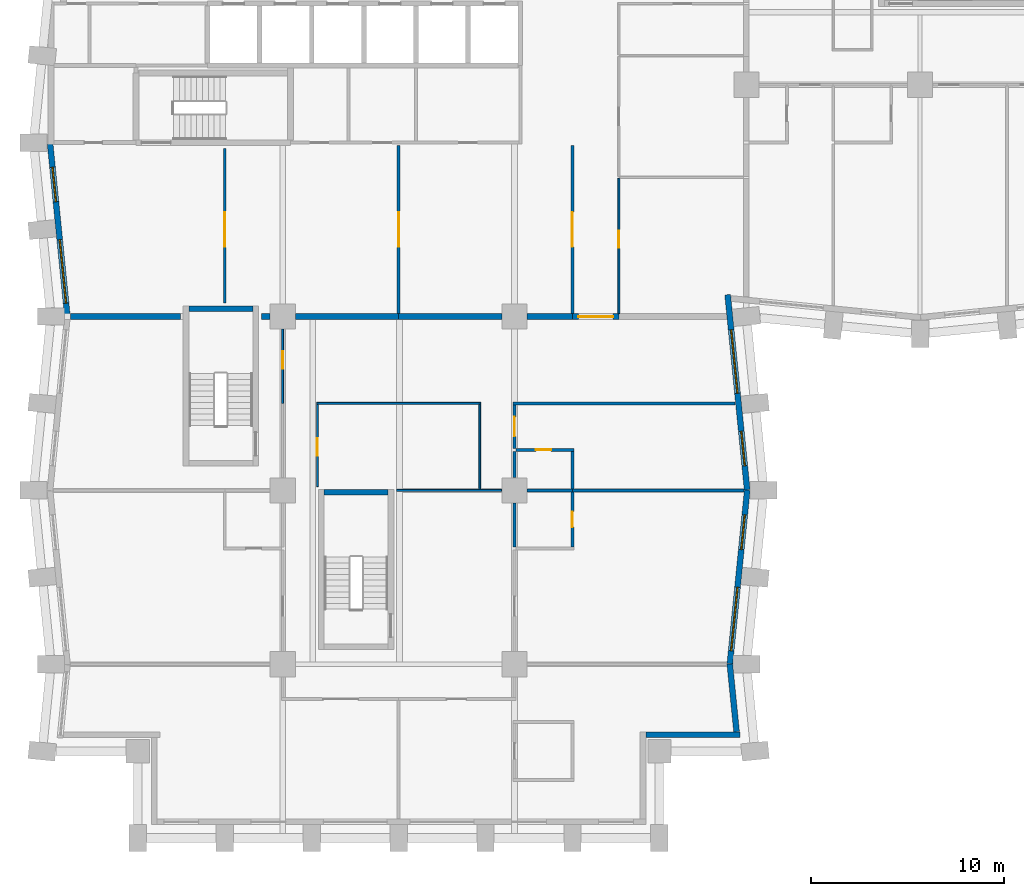
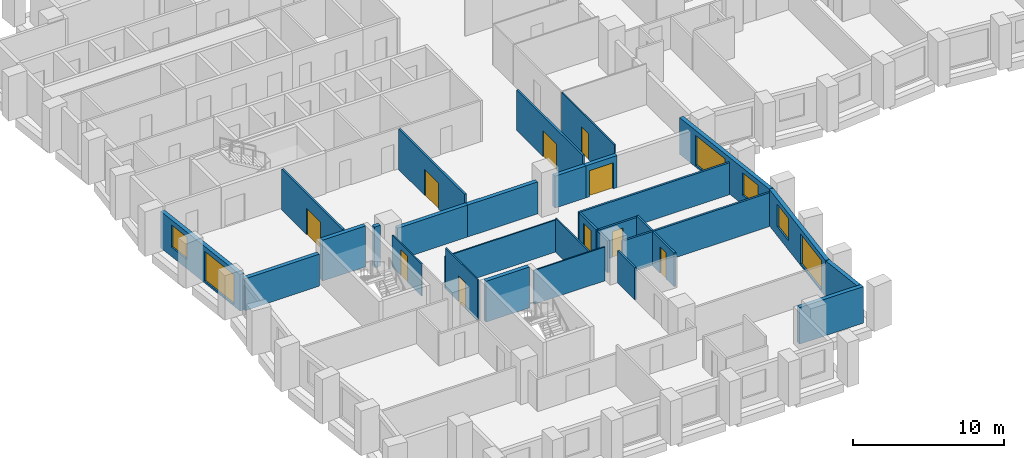
# One storey, part 4 of 13: 31 walls, 10 doors, 6 windows, 16 openings.
"""IFC4 building model written with IfcOpenShell, lengths in metres."""

from ifc_helpers import new_model, si_unit, direction, frame, frame_2d, origin, place, context, subcontext, project, spatial, rectangle, extrude, material, layer, layer_set, type_object, element, fill, save


model = new_model("IFC4")

# Units and contexts
model_context = context("Model", 3, precision=1e-05, world=origin(), true_north=direction((0.0, 1.0)))
body_context = subcontext(model_context, "Body", "Model", "MODEL_VIEW")
ifc_project = project(units=[si_unit("LENGTHUNIT", "METRE"), si_unit("AREAUNIT", "SQUARE_METRE"), si_unit("VOLUMEUNIT", "CUBIC_METRE"), si_unit("PLANEANGLEUNIT", "RADIAN"), si_unit("MASSUNIT", "GRAM", prefix="KILO")], contexts=[model_context])

# Site, building, storey
site_placement = place(None, origin())
site = spatial("IfcSite", under=ifc_project, at=site_placement, CompositionType="ELEMENT")
building_placement = place(site_placement, origin())
building = spatial("IfcBuilding", under=site, at=building_placement, Name="Brondeck Convention Tower", CompositionType="ELEMENT")
storey_placement = place(building_placement, frame((0.0, 0.0, 48.300048828125)))
storey = spatial("IfcBuildingStorey", under=building, at=storey_placement, Name="L09", CompositionType="ELEMENT", Elevation=48.300048828125)

# Walls
ifc_material_1 = material(Name="Concrete compartment wall C30/37", Category="concrete")
ifc_layer_1 = layer(ifc_material_1, 0.300048828125)
ifc_layer_set_1 = layer_set([ifc_layer_1], Name="Compartment wall 300")
wall_type_1 = type_object("IfcWallType", Name="Compartment wall 300", PredefinedType="PARTITIONING", material=ifc_layer_set_1)
wall_1_placement = place(storey_placement, frame((6.699951171875, 27.0, 0.0), z_axis=(0.0, 0.0, 1.0), x_axis=(-1.0, 0.0, 0.0)))
element("IfcWall", 1, at=wall_1_placement, inside=storey, type_object=wall_type_1, Name="FLR-L09-W035", PredefinedType="PARTITIONING", context=body_context, shape_type="SweptSolid", body=[
    extrude(rectangle(XDim=5.675048828125, YDim=0.300048828125, at=frame_2d((2.83740234375, 0.0))), origin(), (0.0, 0.0, 1.0), 2.579833984375),
])
wall_2_placement = place(storey_placement, frame((11.344970703125, 27.0, 0.0), z_axis=(0.0, 0.0, 1.0), x_axis=(-1.0, 0.0, 0.0)))
element("IfcWall", 2, at=wall_2_placement, inside=storey, type_object=wall_type_1, Name="FLR-L09-W036", PredefinedType="PARTITIONING", context=body_context, shape_type="SweptSolid", body=[
    extrude(rectangle(XDim=0.445068359375, YDim=0.300048828125, at=frame_2d((0.22265625, 0.0))), origin(), (0.0, 0.0, 1.0), 3.280029296875),
])
for number, where, z_axis, x_axis, name in (
    (3, (18.0, 27.0, 0.0), (0.0, 0.0, 1.0), (-1.0, 0.0, 0.0), "FLR-L09-W037"),
    (4, (23.344970703125, 27.0, 0.0), (0.0, 0.0, 1.0), (-1.0, 0.0, 0.0), "FLR-L09-W038"),
):
    element("IfcWall", number, at=place(storey_placement, frame(where, z_axis=z_axis, x_axis=x_axis)), inside=storey, type_object=wall_type_1, Name=name, PredefinedType="PARTITIONING", context=body_context, shape_type="SweptSolid", body=[
        extrude(rectangle(XDim=5.344970703125, YDim=0.300048828125, at=frame_2d((2.67236328125, 0.0))), origin(), (0.0, 0.0, 1.0), 2.579833984375),
    ])
wall_3_placement = place(storey_placement, frame((27.0, 27.0, 0.0), z_axis=(0.0, 0.0, 1.0), x_axis=(-1.0, 0.0, 0.0)))
element("IfcWall", 5, at=wall_3_placement, inside=storey, type_object=wall_type_1, Name="FLR-L09-W039", PredefinedType="PARTITIONING", context=body_context, shape_type="SweptSolid", body=[
    extrude(rectangle(XDim=2.344970703125, YDim=0.300048828125, at=frame_2d((1.17236328125, 0.0))), origin(), (0.0, 0.0, 1.0), 2.579833984375),
])

# Wall, opening, door
wall_4_placement = place(storey_placement, frame((29.39990234375, 27.0, 0.0), z_axis=(0.0, 0.0, 1.0), x_axis=(-1.0, 0.0, 0.0)))
wall_4 = element("IfcWall", 6, at=wall_4_placement, inside=storey, type_object=wall_type_1, Name="FLR-L09-W040", PredefinedType="PARTITIONING", context=body_context, shape_type="SweptSolid", body=[
    extrude(rectangle(XDim=2.39990234375, YDim=0.300048828125, at=frame_2d((1.199951171875, 0.0))), origin(), (0.0, 0.0, 1.0), 2.579833984375),
])
opening_1_placement = place(wall_4_placement, frame((0.300048828125, 0.0, 0.0)))
opening_1 = element("IfcOpeningElement", 7, at=opening_1_placement, cuts=wall_4, Name="Opening H2-043", PredefinedType="OPENING", context=body_context, shape_type="SweptSolid", body=[
    extrude(rectangle(XDim=1.800048828125, YDim=2.10009765625, at=frame_2d((0.89990234375, 1.050048828125))), frame((0.0, 0.159912109375, 0.0), z_axis=(0.0, -1.0, 0.0), x_axis=(1.0, 0.0, 0.0)), (0.0, 0.0, 1.0), 0.320068359375),
])
ifc_material_2 = material(Name="Steel fire door pair", Category="steel")
door_type_1 = type_object("IfcDoorType", Name="Fire door pair 1800", OperationType="DOUBLE_DOOR_SINGLE_SWING", PredefinedType="DOOR", material=ifc_material_2)
door_1_placement = place(opening_1_placement, origin())
door_1 = element("IfcDoor", 8, at=door_1_placement, inside=storey, type_object=door_type_1, Name="Door H2-043", OperationType="DOUBLE_DOOR_SINGLE_SWING", OverallHeight=2.10009765625, OverallWidth=1.800048828125, PredefinedType="DOOR", context=body_context, shape_type="SweptSolid", body=[
    extrude(rectangle(XDim=1.800048828125, YDim=2.10009765625, at=frame_2d((0.89990234375, 1.050048828125))), frame((0.0, 0.02490234375, 0.0), z_axis=(0.0, -1.0, 0.0), x_axis=(1.0, 0.0, 0.0)), (0.0, 0.0, 1.0), 0.050048828125),
])
fill(opening_1, door_1)

# Walls
ifc_material_3 = material(Name="Precast concrete C50/60 bronze finish", Category="concrete")
ifc_layer_2 = layer(ifc_material_3, 0.070068359375, Name="Bronze precast facing")
ifc_material_4 = material(Name="Mineral wool")
ifc_layer_3 = layer(ifc_material_4, 0.159912109375, Name="Insulation")
ifc_material_5 = material(Name="Concrete C35/45", Category="concrete")
ifc_layer_4 = layer(ifc_material_5, 0.070068359375, Name="Backing")
ifc_layer_set_2 = layer_set([ifc_layer_2, ifc_layer_3, ifc_layer_4], Name="External infill wall, precast concrete C50/60 bronze facing")
wall_type_2 = type_object("IfcWallType", Name="External infill wall, precast concrete C50/60 bronze facing", PredefinedType="SOLIDWALL", material=ifc_layer_set_2)
wall_5_placement = place(storey_placement, frame((35.676513671875, 5.35009765625, 0.0), z_axis=(0.0, 0.0, 1.0), x_axis=(-1.0, 0.0, 0.0)))
element("IfcWall", 9, at=wall_5_placement, inside=storey, type_object=wall_type_2, Name="ENV-EW-L09-P0-NC-SEB0-02", PredefinedType="SOLIDWALL", context=body_context, shape_type="SweptSolid", body=[
    extrude(rectangle(XDim=4.87646484375, YDim=0.300048828125, at=frame_2d((2.438232421875, 0.0))), origin(), (0.0, 0.0, 1.0), 2.949951171875),
])
wall_6_placement = place(storey_placement, frame((35.144287109375, 9.014892578125, 0.0), z_axis=(0.0, 0.0, 1.0), x_axis=(0.099462600847, -0.995041301169, 0.0)))
element("IfcWall", 10, at=wall_6_placement, inside=storey, type_object=wall_type_2, Name="ENV-EW-L09-P0-B-E-04", PredefinedType="SOLIDWALL", context=body_context, shape_type="SweptSolid", body=[
    extrude(rectangle(XDim=3.52734375, YDim=0.300048828125, at=frame_2d((1.763671875, 0.0))), origin(), (0.0, 0.0, 1.0), 2.949951171875),
])

# Wall, openings, windows
wall_7_placement = place(storey_placement, frame((36.04736328125, 18.014892578125, 0.0), z_axis=(0.0, 0.0, 1.0), x_axis=(-0.099522457379, -0.995035316196, 0.0)))
wall_7 = element("IfcWall", 11, at=wall_7_placement, inside=storey, type_object=wall_type_2, Name="ENV-EW-L09-P0-B-E-03", PredefinedType="SOLIDWALL", context=body_context, shape_type="SweptSolid", body=[
    extrude(rectangle(XDim=9.030029296875, YDim=0.300048828125, at=frame_2d((4.51513671875, 0.0))), origin(), (0.0, 0.0, 1.0), 2.949951171875),
])
opening_2_placement = place(wall_7_placement, frame((1.291259765625, 0.0, 0.75)))
opening_2 = element("IfcOpeningElement", 12, at=opening_2_placement, cuts=wall_7, Name="Opening W10", PredefinedType="OPENING", context=body_context, shape_type="SweptSolid", body=[
    extrude(rectangle(XDim=1.800048828125, YDim=1.800048828125, at=frame_2d((0.89990234375, 0.89990234375))), frame((0.0, 0.159912109375, 0.0), z_axis=(0.0, -1.0, 0.0), x_axis=(1.0, 0.0, 0.0)), (0.0, 0.0, 1.0), 0.320068359375),
])
opening_3_placement = place(wall_7_placement, frame((5.063720703125, 0.0, 0.14990234375)))
opening_3 = element("IfcOpeningElement", 13, at=opening_3_placement, cuts=wall_7, Name="Opening W9", PredefinedType="OPENING", context=body_context, shape_type="SweptSolid", body=[
    extrude(rectangle(XDim=3.300048828125, YDim=2.39990234375, at=frame_2d((1.64990234375, 1.199951171875))), frame((0.0, 0.159912109375, 0.0), z_axis=(0.0, -1.0, 0.0), x_axis=(1.0, 0.0, 0.0)), (0.0, 0.0, 1.0), 0.320068359375),
])
ifc_material_6 = material(Name="Bronze tinted double glazing", Category="glass")
window_type_1 = type_object("IfcWindowType", Name="Glazed flute window, bronze tinted", PartitioningType="SINGLE_PANEL", PredefinedType="WINDOW", material=ifc_material_6)
window_1_placement = place(opening_3_placement, origin())
window_1 = element("IfcWindow", 14, at=window_1_placement, inside=storey, type_object=window_type_1, Name="ENV-WN-L09-P0-B-E-03", OverallHeight=2.39990234375, OverallWidth=3.300048828125, PartitioningType="SINGLE_PANEL", PredefinedType="WINDOW", context=body_context, shape_type="SweptSolid", body=[
    extrude(rectangle(XDim=3.300048828125, YDim=2.39990234375, at=frame_2d((1.64990234375, 1.199951171875))), frame((0.0, 0.030029296875, 0.0), z_axis=(0.0, -1.0, 0.0), x_axis=(1.0, 0.0, 0.0)), (0.0, 0.0, 1.0), 0.06005859375),
])
fill(opening_3, window_1)
window_type_2 = type_object("IfcWindowType", Name="Punched window, bronze tinted", PartitioningType="SINGLE_PANEL", PredefinedType="WINDOW", material=ifc_material_6)
window_2_placement = place(opening_2_placement, origin())
window_2 = element("IfcWindow", 15, at=window_2_placement, inside=storey, type_object=window_type_2, Name="ENV-WN-L09-P0-B-E-02", OverallHeight=1.800048828125, OverallWidth=1.800048828125, PartitioningType="SINGLE_PANEL", PredefinedType="WINDOW", context=body_context, shape_type="SweptSolid", body=[
    extrude(rectangle(XDim=1.800048828125, YDim=1.800048828125, at=frame_2d((0.89990234375, 0.89990234375))), frame((0.0, 0.030029296875, 0.0), z_axis=(0.0, -1.0, 0.0), x_axis=(1.0, 0.0, 0.0)), (0.0, 0.0, 1.0), 0.06005859375),
])
fill(opening_2, window_2)

wall_8_placement = place(storey_placement, frame((35.03271484375, 28.131591796875, 0.0), z_axis=(0.0, 0.0, 1.0), x_axis=(0.099487051997, -0.995038856771, 0.0)))
wall_8 = element("IfcWall", 16, at=wall_8_placement, inside=storey, type_object=wall_type_2, Name="ENV-EW-L09-P0-B-E-01", PredefinedType="SOLIDWALL", context=body_context, shape_type="SweptSolid", body=[
    extrude(rectangle(XDim=10.152099609375, YDim=0.300048828125, at=frame_2d((5.076171875, 0.0))), origin(), (0.0, 0.0, 1.0), 2.949951171875),
])
opening_4_placement = place(wall_8_placement, frame((1.83349609375, 0.0, 0.14990234375)))
opening_4 = element("IfcOpeningElement", 17, at=opening_4_placement, cuts=wall_8, Name="Opening W9", PredefinedType="OPENING", context=body_context, shape_type="SweptSolid", body=[
    extrude(rectangle(XDim=3.300048828125, YDim=2.39990234375, at=frame_2d((1.64990234375, 1.199951171875))), frame((0.0, 0.159912109375, 0.0), z_axis=(0.0, -1.0, 0.0), x_axis=(1.0, 0.0, 0.0)), (0.0, 0.0, 1.0), 0.320068359375),
])
opening_5_placement = place(wall_8_placement, frame((7.10595703125, 0.0, 0.75)))
opening_5 = element("IfcOpeningElement", 18, at=opening_5_placement, cuts=wall_8, Name="Opening W10", PredefinedType="OPENING", context=body_context, shape_type="SweptSolid", body=[
    extrude(rectangle(XDim=1.800048828125, YDim=1.800048828125, at=frame_2d((0.89990234375, 0.89990234375))), frame((0.0, 0.159912109375, 0.0), z_axis=(0.0, -1.0, 0.0), x_axis=(1.0, 0.0, 0.0)), (0.0, 0.0, 1.0), 0.320068359375),
])
window_3_placement = place(opening_4_placement, origin())
window_3 = element("IfcWindow", 19, at=window_3_placement, inside=storey, type_object=window_type_1, Name="ENV-WN-L09-P0-B-E-00", OverallHeight=2.39990234375, OverallWidth=3.300048828125, PartitioningType="SINGLE_PANEL", PredefinedType="WINDOW", context=body_context, shape_type="SweptSolid", body=[
    extrude(rectangle(XDim=3.300048828125, YDim=2.39990234375, at=frame_2d((1.64990234375, 1.199951171875))), frame((0.0, 0.030029296875, 0.0), z_axis=(0.0, -1.0, 0.0), x_axis=(1.0, 0.0, 0.0)), (0.0, 0.0, 1.0), 0.06005859375),
])
fill(opening_4, window_3)
window_4_placement = place(opening_5_placement, origin())
window_4 = element("IfcWindow", 20, at=window_4_placement, inside=storey, type_object=window_type_2, Name="ENV-WN-L09-P0-B-E-01", OverallHeight=1.800048828125, OverallWidth=1.800048828125, PartitioningType="SINGLE_PANEL", PredefinedType="WINDOW", context=body_context, shape_type="SweptSolid", body=[
    extrude(rectangle(XDim=1.800048828125, YDim=1.800048828125, at=frame_2d((0.89990234375, 0.89990234375))), frame((0.0, 0.030029296875, 0.0), z_axis=(0.0, -1.0, 0.0), x_axis=(1.0, 0.0, 0.0)), (0.0, 0.0, 1.0), 0.06005859375),
])
fill(opening_5, window_4)

wall_9_placement = place(storey_placement, frame((0.855712890625, 26.985107421875, 0.0), z_axis=(0.0, 0.0, 1.0), x_axis=(-0.099503719021, 0.99503719021, 0.0)))
wall_9 = element("IfcWall", 21, at=wall_9_placement, inside=storey, type_object=wall_type_2, Name="ENV-EW-L09-P0-B-W-06", PredefinedType="SOLIDWALL", context=body_context, shape_type="SweptSolid", body=[
    extrude(rectangle(XDim=8.994873046875, YDim=0.300048828125, at=frame_2d((4.49755859375, 0.0))), origin(), (0.0, 0.0, 1.0), 2.949951171875),
])
opening_6_placement = place(wall_9_placement, frame((0.711181640625, 0.0, 0.14990234375)))
opening_6 = element("IfcOpeningElement", 22, at=opening_6_placement, cuts=wall_9, Name="Opening W9", PredefinedType="OPENING", context=body_context, shape_type="SweptSolid", body=[
    extrude(rectangle(XDim=3.300048828125, YDim=2.39990234375, at=frame_2d((1.64990234375, 1.199951171875))), frame((0.0, 0.159912109375, 0.0), z_axis=(0.0, -1.0, 0.0), x_axis=(1.0, 0.0, 0.0)), (0.0, 0.0, 1.0), 0.320068359375),
])
opening_7_placement = place(wall_9_placement, frame((5.983642578125, 0.0, 0.75)))
opening_7 = element("IfcOpeningElement", 23, at=opening_7_placement, cuts=wall_9, Name="Opening W10", PredefinedType="OPENING", context=body_context, shape_type="SweptSolid", body=[
    extrude(rectangle(XDim=1.800048828125, YDim=1.800048828125, at=frame_2d((0.89990234375, 0.89990234375))), frame((0.0, 0.159912109375, 0.0), z_axis=(0.0, -1.0, 0.0), x_axis=(1.0, 0.0, 0.0)), (0.0, 0.0, 1.0), 0.320068359375),
])
window_5_placement = place(opening_6_placement, origin())
window_5 = element("IfcWindow", 24, at=window_5_placement, inside=storey, type_object=window_type_1, Name="ENV-WN-L09-P0-B-W-07", OverallHeight=2.39990234375, OverallWidth=3.300048828125, PartitioningType="SINGLE_PANEL", PredefinedType="WINDOW", context=body_context, shape_type="SweptSolid", body=[
    extrude(rectangle(XDim=3.300048828125, YDim=2.39990234375, at=frame_2d((1.64990234375, 1.199951171875))), frame((0.0, 0.030029296875, 0.0), z_axis=(0.0, -1.0, 0.0), x_axis=(1.0, 0.0, 0.0)), (0.0, 0.0, 1.0), 0.06005859375),
])
fill(opening_6, window_5)
window_6_placement = place(opening_7_placement, origin())
window_6 = element("IfcWindow", 25, at=window_6_placement, inside=storey, type_object=window_type_2, Name="ENV-WN-L09-P0-B-W-06", OverallHeight=1.800048828125, OverallWidth=1.800048828125, PartitioningType="SINGLE_PANEL", PredefinedType="WINDOW", context=body_context, shape_type="SweptSolid", body=[
    extrude(rectangle(XDim=1.800048828125, YDim=1.800048828125, at=frame_2d((0.89990234375, 0.89990234375))), frame((0.0, 0.030029296875, 0.0), z_axis=(0.0, -1.0, 0.0), x_axis=(1.0, 0.0, 0.0)), (0.0, 0.0, 1.0), 0.06005859375),
])
fill(opening_7, window_6)

# Wall, opening, door
ifc_material_7 = material(Name="Double gypsum board acoustic wall")
ifc_layer_5 = layer(ifc_material_7, 0.14990234375)
ifc_layer_set_3 = layer_set([ifc_layer_5], Name="Guest room party wall 150")
wall_type_3 = type_object("IfcWallType", Name="Guest room party wall 150", PredefinedType="PARTITIONING", material=ifc_layer_set_3)
wall_10_placement = place(storey_placement, frame((27.0, 15.074951171875, 0.0), z_axis=(0.0, 0.0, 1.0), x_axis=(0.0, 1.0, 0.0)))
wall_10 = element("IfcWall", 26, at=wall_10_placement, inside=storey, type_object=wall_type_3, Name="FLR-L09-W017", PredefinedType="PARTITIONING", context=body_context, shape_type="SweptSolid", body=[
    extrude(rectangle(XDim=2.85009765625, YDim=0.14990234375, at=frame_2d((1.425048828125, 0.0))), origin(), (0.0, 0.0, 1.0), 2.72998046875),
])
opening_8_placement = place(wall_10_placement, frame((1.02490234375, 0.0, 0.0)))
opening_8 = element("IfcOpeningElement", 27, at=opening_8_placement, cuts=wall_10, Name="Opening H2-028", PredefinedType="OPENING", context=body_context, shape_type="SweptSolid", body=[
    extrude(rectangle(XDim=0.800048828125, YDim=2.10009765625, at=frame_2d((0.39990234375, 1.050048828125))), frame((0.0, 0.0849609375, 0.0), z_axis=(0.0, -1.0, 0.0), x_axis=(1.0, 0.0, 0.0)), (0.0, 0.0, 1.0), 0.169921875),
])
ifc_material_8 = material(Name="Solid timber door leaf", Category="wood")
door_type_2 = type_object("IfcDoorType", Name="En-suite door 800", OperationType="NOTDEFINED", PredefinedType="DOOR", material=ifc_material_8)
door_2_placement = place(opening_8_placement, origin())
door_2 = element("IfcDoor", 28, at=door_2_placement, inside=storey, type_object=door_type_2, Name="Door H2-028", OperationType="SINGLE_SWING_RIGHT", OverallHeight=2.10009765625, OverallWidth=0.800048828125, PredefinedType="DOOR", context=body_context, shape_type="SweptSolid", body=[
    extrude(rectangle(XDim=0.800048828125, YDim=2.10009765625, at=frame_2d((0.39990234375, 1.050048828125))), frame((0.0, 0.02490234375, 0.0), z_axis=(0.0, -1.0, 0.0), x_axis=(1.0, 0.0, 0.0)), (0.0, 0.0, 1.0), 0.050048828125),
])
fill(opening_8, door_2)

# Walls
wall_11_placement = place(storey_placement, frame((24.0, 17.344970703125, 0.0), z_axis=(0.0, 0.0, 1.0), x_axis=(0.0, -1.0, 0.0)))
element("IfcWall", 29, at=wall_11_placement, inside=storey, type_object=wall_type_3, Name="FLR-L09-W018", PredefinedType="PARTITIONING", context=body_context, shape_type="SweptSolid", body=[
    extrude(rectangle(XDim=2.27001953125, YDim=0.14990234375, at=frame_2d((1.135009765625, 0.0))), origin(), (0.0, 0.0, 1.0), 2.579833984375),
])
wall_12_placement = place(storey_placement, frame((27.0, 18.0, 0.0), z_axis=(0.0, 0.0, 1.0), x_axis=(-1.0, 0.0, 0.0)))
element("IfcWall", 30, at=wall_12_placement, inside=storey, type_object=wall_type_3, Name="FLR-L09-W023", PredefinedType="PARTITIONING", context=body_context, shape_type="SweptSolid", body=[
    extrude(rectangle(XDim=2.344970703125, YDim=0.14990234375, at=frame_2d((1.17236328125, 0.0))), origin(), (0.0, 0.0, 1.0), 2.72998046875),
])
wall_13_placement = place(storey_placement, frame((35.875, 18.0, 0.0), z_axis=(0.0, 0.0, 1.0), x_axis=(-1.0, 0.0, 0.0)))
element("IfcWall", 31, at=wall_13_placement, inside=storey, type_object=wall_type_3, Name="FLR-L09-W024", PredefinedType="PARTITIONING", context=body_context, shape_type="SweptSolid", body=[
    extrude(rectangle(XDim=8.875, YDim=0.14990234375, at=frame_2d((4.4375, 0.0))), origin(), (0.0, 0.0, 1.0), 2.72998046875),
])
wall_14_placement = place(storey_placement, frame((27.0, 18.074951171875, 0.0), z_axis=(0.0, 0.0, 1.0), x_axis=(0.0, 1.0, 0.0)))
element("IfcWall", 32, at=wall_14_placement, inside=storey, type_object=wall_type_3, Name="FLR-L09-W026", PredefinedType="PARTITIONING", context=body_context, shape_type="SweptSolid", body=[
    extrude(rectangle(XDim=1.949951171875, YDim=0.14990234375, at=frame_2d((0.97509765625, 0.0))), origin(), (0.0, 0.0, 1.0), 2.72998046875),
])
wall_15_placement = place(storey_placement, frame((24.0, 20.02490234375, 0.0), z_axis=(0.0, 0.0, 1.0), x_axis=(0.0, -1.0, 0.0)))
element("IfcWall", 33, at=wall_15_placement, inside=storey, type_object=wall_type_3, Name="FLR-L09-W027", PredefinedType="PARTITIONING", context=body_context, shape_type="SweptSolid", body=[
    extrude(rectangle(XDim=1.369873046875, YDim=0.14990234375, at=frame_2d((0.68505859375, 0.0))), origin(), (0.0, 0.0, 1.0), 2.579833984375),
])

# Wall, opening, door
wall_16_placement = place(storey_placement, frame((27.074951171875, 20.10009765625, 0.0), z_axis=(0.0, 0.0, 1.0), x_axis=(-1.0, 0.0, 0.0)))
wall_16 = element("IfcWall", 34, at=wall_16_placement, inside=storey, type_object=wall_type_3, Name="FLR-L09-W028", PredefinedType="PARTITIONING", context=body_context, shape_type="SweptSolid", body=[
    extrude(rectangle(XDim=3.0, YDim=0.14990234375, at=frame_2d((1.5, 0.0))), origin(), (0.0, 0.0, 1.0), 2.579833984375),
])
opening_9_placement = place(wall_16_placement, frame((1.175048828125, 0.0, 0.0)))
opening_9 = element("IfcOpeningElement", 35, at=opening_9_placement, cuts=wall_16, Name="Opening H2-026", PredefinedType="OPENING", context=body_context, shape_type="SweptSolid", body=[
    extrude(rectangle(XDim=0.800048828125, YDim=2.10009765625, at=frame_2d((0.39990234375, 1.050048828125))), frame((0.0, 0.0849609375, 0.0), z_axis=(0.0, -1.0, 0.0), x_axis=(1.0, 0.0, 0.0)), (0.0, 0.0, 1.0), 0.169921875),
])
door_3_placement = place(opening_9_placement, origin())
door_3 = element("IfcDoor", 36, at=door_3_placement, inside=storey, type_object=door_type_2, Name="Door H2-026", OperationType="SINGLE_SWING_LEFT", OverallHeight=2.10009765625, OverallWidth=0.800048828125, PredefinedType="DOOR", context=body_context, shape_type="SweptSolid", body=[
    extrude(rectangle(XDim=0.800048828125, YDim=2.10009765625, at=frame_2d((0.39990234375, 1.050048828125))), frame((0.0, 0.02490234375, 0.0), z_axis=(0.0, -1.0, 0.0), x_axis=(1.0, 0.0, 0.0)), (0.0, 0.0, 1.0), 0.050048828125),
])
fill(opening_9, door_3)

wall_17_placement = place(storey_placement, frame((24.0, 22.425048828125, 0.0), z_axis=(0.0, 0.0, 1.0), x_axis=(0.0, -1.0, 0.0)))
wall_17 = element("IfcWall", 37, at=wall_17_placement, inside=storey, type_object=wall_type_3, Name="FLR-L09-W029", PredefinedType="PARTITIONING", context=body_context, shape_type="SweptSolid", body=[
    extrude(rectangle(XDim=2.25, YDim=0.14990234375, at=frame_2d((1.125, 0.0))), origin(), (0.0, 0.0, 1.0), 2.579833984375),
])
opening_10_placement = place(wall_17_placement, frame((0.625, 0.0, 0.0)))
opening_10 = element("IfcOpeningElement", 38, at=opening_10_placement, cuts=wall_17, Name="Opening H2-025", PredefinedType="OPENING", context=body_context, shape_type="SweptSolid", body=[
    extrude(rectangle(XDim=1.0, YDim=2.10009765625, at=frame_2d((0.5, 1.050048828125))), frame((0.0, 0.0849609375, 0.0), z_axis=(0.0, -1.0, 0.0), x_axis=(1.0, 0.0, 0.0)), (0.0, 0.0, 1.0), 0.169921875),
])
ifc_material_9 = material(Name="Solid timber fire door leaf", Category="wood")
door_type_3 = type_object("IfcDoorType", Name="Guest room door 1000", OperationType="NOTDEFINED", PredefinedType="DOOR", material=ifc_material_9)
door_4_placement = place(opening_10_placement, origin())
door_4 = element("IfcDoor", 39, at=door_4_placement, inside=storey, type_object=door_type_3, Name="Door H2-025", OperationType="SINGLE_SWING_LEFT", OverallHeight=2.10009765625, OverallWidth=1.0, PredefinedType="DOOR", context=body_context, shape_type="SweptSolid", body=[
    extrude(rectangle(XDim=1.0, YDim=2.10009765625, at=frame_2d((0.5, 1.050048828125))), frame((0.0, 0.02490234375, 0.0), z_axis=(0.0, -1.0, 0.0), x_axis=(1.0, 0.0, 0.0)), (0.0, 0.0, 1.0), 0.050048828125),
])
fill(opening_10, door_4)

# Wall
wall_18_placement = place(storey_placement, frame((35.425048828125, 22.5, 0.0), z_axis=(0.0, 0.0, 1.0), x_axis=(-1.0, 0.0, 0.0)))
element("IfcWall", 40, at=wall_18_placement, inside=storey, type_object=wall_type_3, Name="FLR-L09-W034", PredefinedType="PARTITIONING", context=body_context, shape_type="SweptSolid", body=[
    extrude(rectangle(XDim=11.5, YDim=0.14990234375, at=frame_2d((5.75, 0.0))), origin(), (0.0, 0.0, 1.0), 2.579833984375),
])

# Wall, opening, door
wall_19_placement = place(storey_placement, frame((27.0, 27.14990234375, 0.0), z_axis=(0.0, 0.0, 1.0), x_axis=(0.0, 1.0, 0.0)))
wall_19 = element("IfcWall", 41, at=wall_19_placement, inside=storey, type_object=wall_type_3, Name="FLR-L09-W042", PredefinedType="PARTITIONING", context=body_context, shape_type="SweptSolid", body=[
    extrude(rectangle(XDim=8.7001953125, YDim=0.14990234375, at=frame_2d((4.35009765625, 0.0))), origin(), (0.0, 0.0, 1.0), 3.280029296875),
])
opening_11_placement = place(wall_19_placement, frame((3.449951171875, 0.0, 0.0)))
opening_11 = element("IfcOpeningElement", 42, at=opening_11_placement, cuts=wall_19, Name="Opening H2-039", PredefinedType="OPENING", context=body_context, shape_type="SweptSolid", body=[
    extrude(rectangle(XDim=1.800048828125, YDim=2.10009765625, at=frame_2d((0.89990234375, 1.050048828125))), frame((0.0, 0.0849609375, 0.0), z_axis=(0.0, -1.0, 0.0), x_axis=(1.0, 0.0, 0.0)), (0.0, 0.0, 1.0), 0.169921875),
])
ifc_material_10 = material(Name="Glazed timber double door", Category="wood")
door_type_4 = type_object("IfcDoorType", Name="Double door 1800", OperationType="DOUBLE_DOOR_SINGLE_SWING", PredefinedType="DOOR", material=ifc_material_10)
door_5_placement = place(opening_11_placement, origin())
door_5 = element("IfcDoor", 43, at=door_5_placement, inside=storey, type_object=door_type_4, Name="Door H2-039", OperationType="DOUBLE_DOOR_SINGLE_SWING", OverallHeight=2.10009765625, OverallWidth=1.800048828125, PredefinedType="DOOR", context=body_context, shape_type="SweptSolid", body=[
    extrude(rectangle(XDim=1.800048828125, YDim=2.10009765625, at=frame_2d((0.89990234375, 1.050048828125))), frame((0.0, 0.02490234375, 0.0), z_axis=(0.0, -1.0, 0.0), x_axis=(1.0, 0.0, 0.0)), (0.0, 0.0, 1.0), 0.050048828125),
])
fill(opening_11, door_5)

wall_20_placement = place(storey_placement, frame((9.0, 27.699951171875, 0.0), z_axis=(0.0, 0.0, 1.0), x_axis=(0.0, 1.0, 0.0)))
wall_20 = element("IfcWall", 44, at=wall_20_placement, inside=storey, type_object=wall_type_3, Name="FLR-L09-W046", PredefinedType="PARTITIONING", context=body_context, shape_type="SweptSolid", body=[
    extrude(rectangle(XDim=8.0, YDim=0.14990234375, at=frame_2d((4.0, 0.0))), origin(), (0.0, 0.0, 1.0), 3.280029296875),
])
opening_12_placement = place(wall_20_placement, frame((2.89990234375, 0.0, 0.0)))
opening_12 = element("IfcOpeningElement", 45, at=opening_12_placement, cuts=wall_20, Name="Opening H2-040", PredefinedType="OPENING", context=body_context, shape_type="SweptSolid", body=[
    extrude(rectangle(XDim=1.800048828125, YDim=2.10009765625, at=frame_2d((0.89990234375, 1.050048828125))), frame((0.0, 0.0849609375, 0.0), z_axis=(0.0, -1.0, 0.0), x_axis=(1.0, 0.0, 0.0)), (0.0, 0.0, 1.0), 0.169921875),
])
door_6_placement = place(opening_12_placement, origin())
door_6 = element("IfcDoor", 46, at=door_6_placement, inside=storey, type_object=door_type_4, Name="Door H2-040", OperationType="DOUBLE_DOOR_SINGLE_SWING", OverallHeight=2.10009765625, OverallWidth=1.800048828125, PredefinedType="DOOR", context=body_context, shape_type="SweptSolid", body=[
    extrude(rectangle(XDim=1.800048828125, YDim=2.10009765625, at=frame_2d((0.89990234375, 1.050048828125))), frame((0.0, 0.02490234375, 0.0), z_axis=(0.0, -1.0, 0.0), x_axis=(1.0, 0.0, 0.0)), (0.0, 0.0, 1.0), 0.050048828125),
])
fill(opening_12, door_6)

wall_21_placement = place(storey_placement, frame((18.0, 27.14990234375, 0.0), z_axis=(0.0, 0.0, 1.0), x_axis=(0.0, 1.0, 0.0)))
wall_21 = element("IfcWall", 47, at=wall_21_placement, inside=storey, type_object=wall_type_3, Name="FLR-L09-W047", PredefinedType="PARTITIONING", context=body_context, shape_type="SweptSolid", body=[
    extrude(rectangle(XDim=8.7001953125, YDim=0.14990234375, at=frame_2d((4.35009765625, 0.0))), origin(), (0.0, 0.0, 1.0), 3.280029296875),
])
opening_13_placement = place(wall_21_placement, frame((3.449951171875, 0.0, 0.0)))
opening_13 = element("IfcOpeningElement", 48, at=opening_13_placement, cuts=wall_21, Name="Opening H2-041", PredefinedType="OPENING", context=body_context, shape_type="SweptSolid", body=[
    extrude(rectangle(XDim=1.800048828125, YDim=2.10009765625, at=frame_2d((0.89990234375, 1.050048828125))), frame((0.0, 0.0849609375, 0.0), z_axis=(0.0, -1.0, 0.0), x_axis=(1.0, 0.0, 0.0)), (0.0, 0.0, 1.0), 0.169921875),
])
door_7_placement = place(opening_13_placement, origin())
door_7 = element("IfcDoor", 49, at=door_7_placement, inside=storey, type_object=door_type_4, Name="Door H2-041", OperationType="DOUBLE_DOOR_SINGLE_SWING", OverallHeight=2.10009765625, OverallWidth=1.800048828125, PredefinedType="DOOR", context=body_context, shape_type="SweptSolid", body=[
    extrude(rectangle(XDim=1.800048828125, YDim=2.10009765625, at=frame_2d((0.89990234375, 1.050048828125))), frame((0.0, 0.02490234375, 0.0), z_axis=(0.0, -1.0, 0.0), x_axis=(1.0, 0.0, 0.0)), (0.0, 0.0, 1.0), 0.050048828125),
])
fill(opening_13, door_7)

# Walls
ifc_material_11 = material(Name="Gypsum board partition on steel studs", Category="steel")
ifc_layer_6 = layer(ifc_material_11, 0.10009765625)
ifc_layer_set_4 = layer_set([ifc_layer_6], Name="Room partition 100")
wall_type_4 = type_object("IfcWallType", Name="Room partition 100", PredefinedType="PARTITIONING", material=ifc_layer_set_4)
wall_22_placement = place(storey_placement, frame((23.330078125, 18.0, 0.0), z_axis=(0.0, 0.0, 1.0), x_axis=(-1.0, 0.0, 0.0)))
element("IfcWall", 50, at=wall_22_placement, inside=storey, type_object=wall_type_4, Name="FLR-L09-W022", PredefinedType="PARTITIONING", context=body_context, shape_type="SweptSolid", body=[
    extrude(rectangle(XDim=5.43017578125, YDim=0.10009765625, at=frame_2d((2.715087890625, 0.0))), origin(), (0.0, 0.0, 1.0), 2.72998046875),
])
wall_23_placement = place(storey_placement, frame((22.199951171875, 18.050048828125, 0.0), z_axis=(0.0, 0.0, 1.0), x_axis=(0.0, 1.0, 0.0)))
element("IfcWall", 51, at=wall_23_placement, inside=storey, type_object=wall_type_4, Name="FLR-L09-W025", PredefinedType="PARTITIONING", context=body_context, shape_type="SweptSolid", body=[
    extrude(rectangle(XDim=4.39990234375, YDim=0.10009765625, at=frame_2d((2.199951171875, 0.0))), origin(), (0.0, 0.0, 1.0), 2.72998046875),
])

# Wall, opening, door
wall_24_placement = place(storey_placement, frame((13.800048828125, 22.449951171875, 0.0), z_axis=(0.0, 0.0, 1.0), x_axis=(0.0, -1.0, 0.0)))
wall_24 = element("IfcWall", 52, at=wall_24_placement, inside=storey, type_object=wall_type_4, Name="FLR-L09-W030", PredefinedType="PARTITIONING", context=body_context, shape_type="SweptSolid", body=[
    extrude(rectangle(XDim=4.25, YDim=0.10009765625, at=frame_2d((2.125, 0.0))), origin(), (0.0, 0.0, 1.0), 3.280029296875),
])
opening_14_placement = place(wall_24_placement, frame((1.75, 0.0, 0.0)))
opening_14 = element("IfcOpeningElement", 53, at=opening_14_placement, cuts=wall_24, Name="Opening H2-029", PredefinedType="OPENING", context=body_context, shape_type="SweptSolid", body=[
    extrude(rectangle(XDim=0.89990234375, YDim=2.10009765625, at=frame_2d((0.449951171875, 1.050048828125))), frame((0.0, 0.06005859375, 0.0), z_axis=(0.0, -1.0, 0.0), x_axis=(1.0, 0.0, 0.0)), (0.0, 0.0, 1.0), 0.1201171875),
])
door_type_5 = type_object("IfcDoorType", Name="Single door 900", OperationType="NOTDEFINED", PredefinedType="DOOR", material=ifc_material_8)
door_8_placement = place(opening_14_placement, origin())
door_8 = element("IfcDoor", 54, at=door_8_placement, inside=storey, type_object=door_type_5, Name="Door H2-029", OperationType="SINGLE_SWING_LEFT", OverallHeight=2.10009765625, OverallWidth=0.89990234375, PredefinedType="DOOR", context=body_context, shape_type="SweptSolid", body=[
    extrude(rectangle(XDim=0.89990234375, YDim=2.10009765625, at=frame_2d((0.449951171875, 1.050048828125))), frame((0.0, 0.02490234375, 0.0), z_axis=(0.0, -1.0, 0.0), x_axis=(1.0, 0.0, 0.0)), (0.0, 0.0, 1.0), 0.050048828125),
])
fill(opening_14, door_8)

wall_25_placement = place(storey_placement, frame((12.0, 26.344970703125, 0.0), z_axis=(0.0, 0.0, 1.0), x_axis=(0.0, -1.0, 0.0)))
wall_25 = element("IfcWall", 55, at=wall_25_placement, inside=storey, type_object=wall_type_4, Name="FLR-L09-W032", PredefinedType="PARTITIONING", context=body_context, shape_type="SweptSolid", body=[
    extrude(rectangle(XDim=3.844970703125, YDim=0.10009765625, at=frame_2d((1.92236328125, 0.0))), origin(), (0.0, 0.0, 1.0), 2.579833984375),
])
opening_15_placement = place(wall_25_placement, frame((1.14501953125, 0.0, 0.0)))
opening_15 = element("IfcOpeningElement", 56, at=opening_15_placement, cuts=wall_25, Name="Opening H2-022", PredefinedType="OPENING", context=body_context, shape_type="SweptSolid", body=[
    extrude(rectangle(XDim=0.89990234375, YDim=2.10009765625, at=frame_2d((0.449951171875, 1.050048828125))), frame((0.0, 0.06005859375, 0.0), z_axis=(0.0, -1.0, 0.0), x_axis=(1.0, 0.0, 0.0)), (0.0, 0.0, 1.0), 0.1201171875),
])
door_9_placement = place(opening_15_placement, origin())
door_9 = element("IfcDoor", 57, at=door_9_placement, inside=storey, type_object=door_type_5, Name="Door H2-022", OperationType="SINGLE_SWING_LEFT", OverallHeight=2.10009765625, OverallWidth=0.89990234375, PredefinedType="DOOR", context=body_context, shape_type="SweptSolid", body=[
    extrude(rectangle(XDim=0.89990234375, YDim=2.10009765625, at=frame_2d((0.449951171875, 1.050048828125))), frame((0.0, 0.02490234375, 0.0), z_axis=(0.0, -1.0, 0.0), x_axis=(1.0, 0.0, 0.0)), (0.0, 0.0, 1.0), 0.050048828125),
])
fill(opening_15, door_9)

# Wall
wall_26_placement = place(storey_placement, frame((22.25, 22.5, 0.0), z_axis=(0.0, 0.0, 1.0), x_axis=(-1.0, 0.0, 0.0)))
element("IfcWall", 58, at=wall_26_placement, inside=storey, type_object=wall_type_4, Name="FLR-L09-W033", PredefinedType="PARTITIONING", context=body_context, shape_type="SweptSolid", body=[
    extrude(rectangle(XDim=8.5, YDim=0.10009765625, at=frame_2d((4.25, 0.0))), origin(), (0.0, 0.0, 1.0), 2.579833984375),
])

# Wall, opening, door
wall_27_placement = place(storey_placement, frame((29.39990234375, 34.14990234375, 0.0), z_axis=(0.0, 0.0, 1.0), x_axis=(0.0, -1.0, 0.0)))
wall_27 = element("IfcWall", 59, at=wall_27_placement, inside=storey, type_object=wall_type_4, Name="FLR-L09-W043", PredefinedType="PARTITIONING", context=body_context, shape_type="SweptSolid", body=[
    extrude(rectangle(XDim=7.0, YDim=0.10009765625, at=frame_2d((3.5, 0.0))), origin(), (0.0, 0.0, 1.0), 3.280029296875),
])
opening_16_placement = place(wall_27_placement, frame((2.699951171875, 0.0, 0.0)))
opening_16 = element("IfcOpeningElement", 60, at=opening_16_placement, cuts=wall_27, Name="Opening H2-038", PredefinedType="OPENING", context=body_context, shape_type="SweptSolid", body=[
    extrude(rectangle(XDim=0.89990234375, YDim=2.10009765625, at=frame_2d((0.449951171875, 1.050048828125))), frame((0.0, 0.06005859375, 0.0), z_axis=(0.0, -1.0, 0.0), x_axis=(1.0, 0.0, 0.0)), (0.0, 0.0, 1.0), 0.1201171875),
])
door_10_placement = place(opening_16_placement, origin())
door_10 = element("IfcDoor", 61, at=door_10_placement, inside=storey, type_object=door_type_5, Name="Door H2-038", OperationType="SINGLE_SWING_LEFT", OverallHeight=2.10009765625, OverallWidth=0.89990234375, PredefinedType="DOOR", context=body_context, shape_type="SweptSolid", body=[
    extrude(rectangle(XDim=0.89990234375, YDim=2.10009765625, at=frame_2d((0.449951171875, 1.050048828125))), frame((0.0, 0.02490234375, 0.0), z_axis=(0.0, -1.0, 0.0), x_axis=(1.0, 0.0, 0.0)), (0.0, 0.0, 1.0), 0.050048828125),
])
fill(opening_16, door_10)

# Walls
ifc_material_12 = material(Name="Concrete C80/95", Category="concrete")
ifc_layer_7 = layer(ifc_material_12, 0.300048828125)
ifc_layer_set_5 = layer_set([ifc_layer_7], Name="Stair enclosure wall 300 Concrete C80/95")
wall_type_5 = type_object("IfcWallType", Name="Stair enclosure wall 300 Concrete C80/95", PredefinedType="SHEAR", material=ifc_layer_set_5)
for number, where, z_axis, x_axis, name in (
    (62, (14.14990234375, 17.89990234375, 0.0), (0.0, 0.0, 1.0), (1.0, 0.0, 0.0), "L09 core wall"),
    (63, (7.14990234375, 27.39990234375, 0.0), (0.0, 0.0, 1.0), (1.0, 0.0, 0.0), "L09 core wall"),
):
    element("IfcWall", number, at=place(storey_placement, frame(where, z_axis=z_axis, x_axis=x_axis)), inside=storey, type_object=wall_type_5, Name=name, PredefinedType="SHEAR", context=body_context, shape_type="SweptSolid", body=[
        extrude(rectangle(XDim=3.300048828125, YDim=0.300048828125, at=frame_2d((1.64990234375, 0.0))), origin(), (0.0, 0.0, 1.0), 3.300048828125),
    ])

save(model, "model.ifc")
